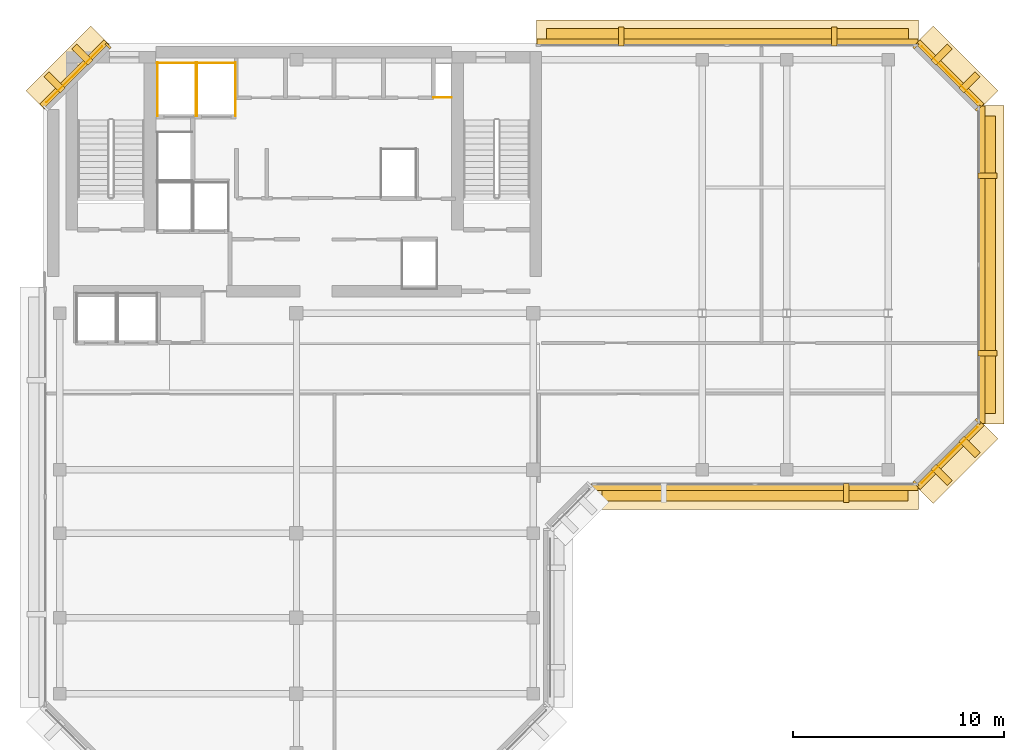
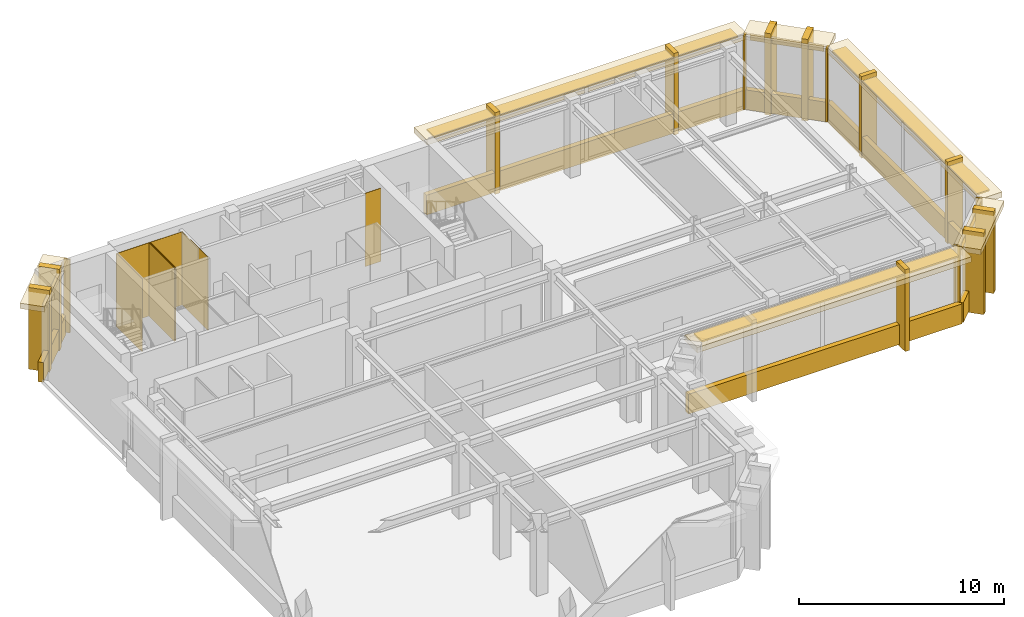
# One storey, part 9 of 9: 38 coverings, 3 shading devices.
"""IFC4 building model written with IfcOpenShell, lengths in metres."""

from ifc_helpers import new_model, si_unit, direction, frame, origin, origin_2d, place, context, subcontext, project, spatial, polyline, rectangle, outline, extrude, material, layer, layer_set, type_object, element, save


model = new_model("IFC4")

# Units and contexts
model_context = context("Model", 3, precision=1e-05, world=origin(), true_north=direction((0.0, 1.0)))
body_context = subcontext(model_context, "Body", "Model", "MODEL_VIEW")
ifc_project = project(units=[si_unit("LENGTHUNIT", "METRE"), si_unit("AREAUNIT", "SQUARE_METRE"), si_unit("VOLUMEUNIT", "CUBIC_METRE"), si_unit("PLANEANGLEUNIT", "RADIAN"), si_unit("MASSUNIT", "GRAM", prefix="KILO")], contexts=[model_context])

# Site, building, storey
site_placement = place(None, origin())
site = spatial("IfcSite", under=ifc_project, at=site_placement, CompositionType="ELEMENT")
building_placement = place(site_placement, origin())
building = spatial("IfcBuilding", under=site, at=building_placement, Name="Kefirva Bronze Tower", CompositionType="ELEMENT")
storey_placement = place(building_placement, frame((0.0, 0.0, 352.110107421875)))
storey = spatial("IfcBuildingStorey", under=building, at=storey_placement, Name="L86", CompositionType="ELEMENT", Elevation=352.110107421875)

# Coverings
ifc_material = material(Name="Bronze anodised aluminium", Category="aluminium")
ifc_layer_1 = layer(ifc_material, 0.02001953125, Name="Bronze anodised aluminium")
ifc_layer_set_1 = layer_set([ifc_layer_1], Name="Bronze anodised aluminium")
covering_type_1 = type_object("IfcCoveringType", Name="Anodised Bronze Spandrel Cladding 20mm", PredefinedType="CLADDING", material=ifc_layer_set_1)
covering_1_placement = place(storey_placement, frame((33.699951171875, 24.9599609375, -0.16015625), z_axis=(0.0, 0.0, 1.0), x_axis=(1.0, 0.0, 0.0)))
element("IfcCovering", 1, at=covering_1_placement, inside=storey, type_object=covering_type_1, Name="L86 Streamline Horizontal Spandrel Band 4", PredefinedType="CLADDING", context=body_context, shape_type="SweptSolid", body=[
    extrude(rectangle(XDim=15.43994140625, YDim=0.280029296875, at=origin_2d()), origin(), (0.0, 0.0, 1.0), 1.179931640625),
])
covering_2_placement = place(storey_placement, frame((42.906982421875, 26.492919921875, 3.949951171875), z_axis=(0.0, 0.0, 1.0), x_axis=(0.707106781187, 0.707106781187, 0.0)))
element("IfcCovering", 2, at=covering_2_placement, inside=storey, type_object=covering_type_1, Name="L86 Bronze Spandrel Cladding 4", PredefinedType="CLADDING", context=body_context, shape_type="SweptSolid", body=[
    extrude(rectangle(XDim=3.719482421875, YDim=0.02001953125, at=origin_2d()), origin(), (0.0, 0.0, 1.0), 0.39990234375),
])
for number, where, z_axis, x_axis, name in (
    (3, (41.311767578125, 25.137939453125, -0.000244140625), (0.0, 0.0, 1.0), (0.707106781187, 0.707106781187, 0.0), "L86 Facade Joint Closure Panel 4S"),
    (4, (44.26220703125, 28.08837890625, -0.000244140625), (0.0, 0.0, 1.0), (0.707106781187, 0.707106781187, 0.0), "L86 Facade Joint Closure Panel 4E"),
):
    element("IfcCovering", number, at=place(storey_placement, frame(where, z_axis=z_axis, x_axis=x_axis)), inside=storey, type_object=covering_type_1, Name=name, PredefinedType="CLADDING", context=body_context, shape_type="SweptSolid", body=[
        extrude(rectangle(XDim=0.10009765625, YDim=0.320068359375, at=origin_2d()), origin(), (0.0, 0.0, 1.0), 4.3701171875),
    ])
covering_3_placement = place(storey_placement, frame((42.92822265625, 26.4716796875, -0.16015625), z_axis=(0.0, 0.0, 1.0), x_axis=(0.707106781187, 0.707106781187, 0.0)))
element("IfcCovering", 5, at=covering_3_placement, inside=storey, type_object=covering_type_1, Name="L86 Streamline Horizontal Spandrel Band 5", PredefinedType="CLADDING", context=body_context, shape_type="SweptSolid", body=[
    extrude(rectangle(XDim=4.28271484375, YDim=0.280029296875, at=origin_2d()), origin(), (0.0, 0.0, 1.0), 1.179931640625),
])
covering_4_placement = place(storey_placement, frame((44.43994140625, 35.5, -0.16015625), z_axis=(0.0, 0.0, 1.0), x_axis=(0.0, 1.0, 0.0)))
element("IfcCovering", 6, at=covering_4_placement, inside=storey, type_object=covering_type_1, Name="L86 Streamline Horizontal Spandrel Band 6", PredefinedType="CLADDING", context=body_context, shape_type="SweptSolid", body=[
    extrude(rectangle(XDim=15.0400390625, YDim=0.280029296875, at=origin_2d()), origin(), (0.0, 0.0, 1.0), 1.179931640625),
])
covering_5_placement = place(storey_placement, frame((42.906982421875, 44.507080078125, 3.949951171875), z_axis=(0.0, 0.0, 1.0), x_axis=(-0.707106781187, 0.707106781187, 0.0)))
element("IfcCovering", 7, at=covering_5_placement, inside=storey, type_object=covering_type_1, Name="L86 Bronze Spandrel Cladding 5", PredefinedType="CLADDING", context=body_context, shape_type="SweptSolid", body=[
    extrude(rectangle(XDim=3.719482421875, YDim=0.02001953125, at=origin_2d()), origin(), (0.0, 0.0, 1.0), 0.39990234375),
])
for number, where, z_axis, x_axis, name in (
    (8, (44.26220703125, 42.91162109375, -0.000244140625), (0.0, 0.0, 1.0), (-0.707106781187, 0.707106781187, 0.0), "L86 Facade Joint Closure Panel 5S"),
    (9, (41.311767578125, 45.862060546875, -0.000244140625), (0.0, 0.0, 1.0), (-0.707106781187, 0.707106781187, 0.0), "L86 Facade Joint Closure Panel 5E"),
):
    element("IfcCovering", number, at=place(storey_placement, frame(where, z_axis=z_axis, x_axis=x_axis)), inside=storey, type_object=covering_type_1, Name=name, PredefinedType="CLADDING", context=body_context, shape_type="SweptSolid", body=[
        extrude(rectangle(XDim=0.10009765625, YDim=0.320068359375, at=origin_2d()), origin(), (0.0, 0.0, 1.0), 4.3701171875),
    ])
covering_6_placement = place(storey_placement, frame((42.92822265625, 44.5283203125, -0.16015625), z_axis=(0.0, 0.0, 1.0), x_axis=(-0.707106781187, 0.707106781187, 0.0)))
element("IfcCovering", 10, at=covering_6_placement, inside=storey, type_object=covering_type_1, Name="L86 Streamline Horizontal Spandrel Band 7", PredefinedType="CLADDING", context=body_context, shape_type="SweptSolid", body=[
    extrude(rectangle(XDim=4.28271484375, YDim=0.280029296875, at=origin_2d()), origin(), (0.0, 0.0, 1.0), 1.179931640625),
])
covering_7_placement = place(storey_placement, frame((32.402587890625, 46.0400390625, -0.16015625), z_axis=(0.0, 0.0, 1.0), x_axis=(-1.0, 0.0, 0.0)))
element("IfcCovering", 11, at=covering_7_placement, inside=storey, type_object=covering_type_1, Name="L86 Streamline Horizontal Spandrel Band 8", PredefinedType="CLADDING", context=body_context, shape_type="SweptSolid", body=[
    extrude(rectangle(XDim=18.034912109375, YDim=0.280029296875, at=origin_2d()), origin(), (0.0, 0.0, 1.0), 1.179931640625),
])
covering_8_placement = place(storey_placement, frame((1.492919921875, 44.507080078125, 3.949951171875), z_axis=(0.0, 0.0, 1.0), x_axis=(-0.707106781187, -0.707106781187, 0.0)))
element("IfcCovering", 12, at=covering_8_placement, inside=storey, type_object=covering_type_1, Name="L86 Bronze Spandrel Cladding 6", PredefinedType="CLADDING", context=body_context, shape_type="SweptSolid", body=[
    extrude(rectangle(XDim=3.719482421875, YDim=0.02001953125, at=origin_2d()), origin(), (0.0, 0.0, 1.0), 0.39990234375),
])
covering_9_placement = place(storey_placement, frame((3.08837890625, 45.862060546875, -0.000244140625), z_axis=(0.0, 0.0, 1.0), x_axis=(-0.707106781187, -0.707106781187, 0.0)))
element("IfcCovering", 13, at=covering_9_placement, inside=storey, type_object=covering_type_1, Name="L86 Facade Joint Closure Panel 6S", PredefinedType="CLADDING", context=body_context, shape_type="SweptSolid", body=[
    extrude(rectangle(XDim=0.10009765625, YDim=0.320068359375, at=origin_2d()), origin(), (0.0, 0.0, 1.0), 4.3701171875),
])
covering_10_placement = place(storey_placement, frame((1.4716796875, 44.5283203125, -0.16015625), z_axis=(0.0, 0.0, 1.0), x_axis=(-0.707106781187, -0.707106781187, 0.0)))
element("IfcCovering", 14, at=covering_10_placement, inside=storey, type_object=covering_type_1, Name="L86 Streamline Horizontal Spandrel Band 9", PredefinedType="CLADDING", context=body_context, shape_type="SweptSolid", body=[
    extrude(rectangle(XDim=4.28271484375, YDim=0.280029296875, at=origin_2d()), origin(), (0.0, 0.0, 1.0), 1.179931640625),
])
covering_11_placement = place(storey_placement, origin())
element("IfcCovering", 15, at=covering_11_placement, inside=storey, type_object=covering_type_1, Name="L86 Lift SV1 Hoistway Liner N", PredefinedType="CLADDING", context=body_context, shape_type="SweptSolid", body=[
    extrude(outline(polyline([(5.39990234375, 45.0400390625), (7.260009765625, 45.0400390625), (7.260009765625, 45.06005859375), (5.39990234375, 45.06005859375), (5.39990234375, 45.0400390625)])), origin(), (0.0, 0.0, 1.0), 4.369873046875),
])
covering_12_placement = place(storey_placement, origin())
element("IfcCovering", 16, at=covering_12_placement, inside=storey, type_object=covering_type_1, Name="L86 Lift SV1 Hoistway Liner W", PredefinedType="CLADDING", context=body_context, shape_type="SweptSolid", body=[
    extrude(outline(polyline([(5.409912109375, 42.530029296875), (5.429931640625, 42.530029296875), (5.429931640625, 45.070068359375), (5.409912109375, 45.070068359375), (5.409912109375, 42.530029296875)])), origin(), (0.0, 0.0, 1.0), 4.369873046875),
])
covering_13_placement = place(storey_placement, origin())
element("IfcCovering", 17, at=covering_13_placement, inside=storey, type_object=covering_type_1, Name="L86 Lift SV1 Hoistway Liner E", PredefinedType="CLADDING", context=body_context, shape_type="SweptSolid", body=[
    extrude(outline(polyline([(7.22998046875, 42.530029296875), (7.25, 42.530029296875), (7.25, 45.070068359375), (7.22998046875, 45.070068359375), (7.22998046875, 42.530029296875)])), origin(), (0.0, 0.0, 1.0), 4.369873046875),
])
covering_14_placement = place(storey_placement, origin())
element("IfcCovering", 18, at=covering_14_placement, inside=storey, type_object=covering_type_1, Name="L86 Lift SV2 Hoistway Liner N", PredefinedType="CLADDING", context=body_context, shape_type="SweptSolid", body=[
    extrude(outline(polyline([(7.280029296875, 45.0400390625), (9.139892578125, 45.0400390625), (9.139892578125, 45.06005859375), (7.280029296875, 45.06005859375), (7.280029296875, 45.0400390625)])), origin(), (0.0, 0.0, 1.0), 4.369873046875),
])
covering_15_placement = place(storey_placement, origin())
element("IfcCovering", 19, at=covering_15_placement, inside=storey, type_object=covering_type_1, Name="L86 Lift SV2 Hoistway Liner W", PredefinedType="CLADDING", context=body_context, shape_type="SweptSolid", body=[
    extrude(outline(polyline([(7.2900390625, 42.530029296875), (7.31005859375, 42.530029296875), (7.31005859375, 45.070068359375), (7.2900390625, 45.070068359375), (7.2900390625, 42.530029296875)])), origin(), (0.0, 0.0, 1.0), 4.369873046875),
])
covering_16_placement = place(storey_placement, origin())
element("IfcCovering", 20, at=covering_16_placement, inside=storey, type_object=covering_type_1, Name="L86 Lift SV2 Hoistway Liner E", PredefinedType="CLADDING", context=body_context, shape_type="SweptSolid", body=[
    extrude(outline(polyline([(9.110107421875, 42.530029296875), (9.1298828125, 42.530029296875), (9.1298828125, 45.070068359375), (9.110107421875, 45.070068359375), (9.110107421875, 42.530029296875)])), origin(), (0.0, 0.0, 1.0), 4.369873046875),
])
covering_17_placement = place(storey_placement, origin())
element("IfcCovering", 21, at=covering_17_placement, inside=storey, type_object=covering_type_1, Name="L86 Core MEP Riser Shaft Liner South", PredefinedType="CLADDING", context=body_context, shape_type="SweptSolid", body=[
    extrude(outline(polyline([(18.47998046875, 43.39990234375), (19.360107421875, 43.39990234375), (19.360107421875, 43.429931640625), (18.47998046875, 43.429931640625), (18.47998046875, 43.39990234375)])), origin(), (0.0, 0.0, 1.0), 4.369873046875),
])

# Shading devices
ifc_layer_2 = layer(ifc_material, 0.090087890625, Name="Bronze anodised aluminium")
ifc_layer_set_2 = layer_set([ifc_layer_2], Name="Bronze anodised aluminium")
shading_device_type = type_object("IfcShadingDeviceType", Name="Horizontal Bronze Sunshade Band 750mm", PredefinedType="JALOUSIE", material=ifc_layer_set_2)
shading_device_1_placement = place(storey_placement, frame((33.699951171875, 24.705078125, 4.2646484375), z_axis=(0.0, 0.0, 1.0), x_axis=(1.0, 0.0, 0.0)))
element("IfcShadingDevice", 22, at=shading_device_1_placement, inside=storey, type_object=shading_device_type, Name="L86 Horizontal Bronze Sunshade Band 4", PredefinedType="JALOUSIE", context=body_context, shape_type="SweptSolid", body=[
    extrude(rectangle(XDim=14.489990234375, YDim=0.75, at=origin_2d()), origin(), (0.0, 0.0, 1.0), 0.090087890625),
])
shading_device_2_placement = place(storey_placement, frame((44.695068359375, 35.5, 4.2646484375), z_axis=(0.0, 0.0, 1.0), x_axis=(0.0, 1.0, 0.0)))
element("IfcShadingDevice", 23, at=shading_device_2_placement, inside=storey, type_object=shading_device_type, Name="L86 Horizontal Bronze Sunshade Band 6", PredefinedType="JALOUSIE", context=body_context, shape_type="SweptSolid", body=[
    extrude(rectangle(XDim=14.090087890625, YDim=0.75, at=origin_2d()), origin(), (0.0, 0.0, 1.0), 0.090087890625),
])
shading_device_3_placement = place(storey_placement, frame((32.402587890625, 46.294921875, 4.2646484375), z_axis=(0.0, 0.0, 1.0), x_axis=(-1.0, 0.0, 0.0)))
element("IfcShadingDevice", 24, at=shading_device_3_placement, inside=storey, type_object=shading_device_type, Name="L86 Horizontal Bronze Sunshade Band 8", PredefinedType="JALOUSIE", context=body_context, shape_type="SweptSolid", body=[
    extrude(rectangle(XDim=17.139892578125, YDim=0.75, at=origin_2d()), origin(), (0.0, 0.0, 1.0), 0.090087890625),
])

# Coverings
ifc_layer_3 = layer(ifc_material, 0.179931640625, Name="Bronze anodised aluminium")
ifc_layer_set_3 = layer_set([ifc_layer_3], Name="Bronze anodised aluminium")
covering_type_2 = type_object("IfcCoveringType", Name="Streamline Bronze Sunshade Eyebrow Cladding 180mm", PredefinedType="CLADDING", material=ifc_layer_set_3)
covering_18_placement = place(storey_placement, frame((33.699951171875, 24.5400390625, 4.0498046875), z_axis=(0.0, 0.0, 1.0), x_axis=(1.0, 0.0, 0.0)))
element("IfcCovering", 25, at=covering_18_placement, inside=storey, type_object=covering_type_2, Name="L86 Streamline Bronze Sunshade Eyebrow 4", PredefinedType="CLADDING", context=body_context, shape_type="SweptSolid", body=[
    extrude(rectangle(XDim=15.47998046875, YDim=1.239990234375, at=origin_2d()), origin(), (0.0, 0.0, 1.0), 0.320068359375),
])
covering_19_placement = place(storey_placement, frame((43.225341796875, 26.1748046875, 4.0498046875), z_axis=(0.0, 0.0, 1.0), x_axis=(0.707106781187, 0.707106781187, 0.0)))
element("IfcCovering", 26, at=covering_19_placement, inside=storey, type_object=covering_type_2, Name="L86 Streamline Bronze Sunshade Eyebrow 5", PredefinedType="CLADDING", context=body_context, shape_type="SweptSolid", body=[
    extrude(rectangle(XDim=4.322509765625, YDim=1.239990234375, at=origin_2d()), origin(), (0.0, 0.0, 1.0), 0.320068359375),
])
covering_20_placement = place(storey_placement, frame((44.860107421875, 35.5, 4.0498046875), z_axis=(0.0, 0.0, 1.0), x_axis=(0.0, 1.0, 0.0)))
element("IfcCovering", 27, at=covering_20_placement, inside=storey, type_object=covering_type_2, Name="L86 Streamline Bronze Sunshade Eyebrow 6", PredefinedType="CLADDING", context=body_context, shape_type="SweptSolid", body=[
    extrude(rectangle(XDim=15.080078125, YDim=1.239990234375, at=origin_2d()), origin(), (0.0, 0.0, 1.0), 0.320068359375),
])
covering_21_placement = place(storey_placement, frame((43.225341796875, 44.8251953125, 4.0498046875), z_axis=(0.0, 0.0, 1.0), x_axis=(-0.707106781187, 0.707106781187, 0.0)))
element("IfcCovering", 28, at=covering_21_placement, inside=storey, type_object=covering_type_2, Name="L86 Streamline Bronze Sunshade Eyebrow 7", PredefinedType="CLADDING", context=body_context, shape_type="SweptSolid", body=[
    extrude(rectangle(XDim=4.322509765625, YDim=1.239990234375, at=origin_2d()), origin(), (0.0, 0.0, 1.0), 0.320068359375),
])
covering_22_placement = place(storey_placement, frame((32.402587890625, 46.4599609375, 4.0498046875), z_axis=(0.0, 0.0, 1.0), x_axis=(-1.0, 0.0, 0.0)))
element("IfcCovering", 29, at=covering_22_placement, inside=storey, type_object=covering_type_2, Name="L86 Streamline Bronze Sunshade Eyebrow 8", PredefinedType="CLADDING", context=body_context, shape_type="SweptSolid", body=[
    extrude(rectangle(XDim=18.074951171875, YDim=1.239990234375, at=origin_2d()), origin(), (0.0, 0.0, 1.0), 0.320068359375),
])
covering_23_placement = place(storey_placement, frame((1.1748046875, 44.8251953125, 4.0498046875), z_axis=(0.0, 0.0, 1.0), x_axis=(-0.707106781187, -0.707106781187, 0.0)))
element("IfcCovering", 30, at=covering_23_placement, inside=storey, type_object=covering_type_2, Name="L86 Streamline Bronze Sunshade Eyebrow 9", PredefinedType="CLADDING", context=body_context, shape_type="SweptSolid", body=[
    extrude(rectangle(XDim=4.322509765625, YDim=1.239990234375, at=origin_2d()), origin(), (0.0, 0.0, 1.0), 0.320068359375),
])
ifc_layer_4 = layer(ifc_material, 0.260009765625, Name="Bronze anodised aluminium")
ifc_layer_set_4 = layer_set([ifc_layer_4], Name="Bronze anodised aluminium")
covering_type_3 = type_object("IfcCoveringType", Name="Unbroken Bronze Buttress Fin Cladding 260mm", PredefinedType="CLADDING", material=ifc_layer_set_4)
covering_24_placement = place(storey_placement, frame((38.011962890625, 24.699951171875, -0.250244140625), z_axis=(0.0, 0.0, 1.0), x_axis=(1.0, 0.0, 0.0)))
element("IfcCovering", 31, at=covering_24_placement, inside=storey, type_object=covering_type_3, Name="L86 Unbroken Vertical Bronze Rib Fin 10", PredefinedType="CLADDING", context=body_context, shape_type="SweptSolid", body=[
    extrude(rectangle(XDim=0.260009765625, YDim=0.8798828125, at=origin_2d()), origin(), (0.0, 0.0, 1.0), 4.8701171875),
])
for number, where, z_axis, x_axis, name in (
    (32, (42.522705078125, 25.55712890625, -0.250244140625), (0.0, 0.0, 1.0), (0.707106781187, 0.707106781187, 0.0), "L86 Chamfered Corner Buttress Fin Cladding 11"),
    (33, (43.8427734375, 26.877197265625, -0.250244140625), (0.0, 0.0, 1.0), (0.707106781187, 0.707106781187, 0.0), "L86 Chamfered Corner Buttress Fin Cladding 12"),
):
    element("IfcCovering", number, at=place(storey_placement, frame(where, z_axis=z_axis, x_axis=x_axis)), inside=storey, type_object=covering_type_3, Name=name, PredefinedType="CLADDING", context=body_context, shape_type="SweptSolid", body=[
        extrude(rectangle(XDim=0.340087890625, YDim=1.080078125, at=origin_2d()), origin(), (0.0, 0.0, 1.0), 4.8701171875),
    ])
for number, where, z_axis, x_axis, name in (
    (34, (44.699951171875, 31.300048828125, -0.250244140625), (0.0, 0.0, 1.0), (0.0, 1.0, 0.0), "L86 Unbroken Vertical Bronze Rib Fin 13"),
    (35, (44.699951171875, 39.699951171875, -0.250244140625), (0.0, 0.0, 1.0), (0.0, 1.0, 0.0), "L86 Unbroken Vertical Bronze Rib Fin 14"),
):
    element("IfcCovering", number, at=place(storey_placement, frame(where, z_axis=z_axis, x_axis=x_axis)), inside=storey, type_object=covering_type_3, Name=name, PredefinedType="CLADDING", context=body_context, shape_type="SweptSolid", body=[
        extrude(rectangle(XDim=0.260009765625, YDim=0.8798828125, at=origin_2d()), origin(), (0.0, 0.0, 1.0), 4.8701171875),
    ])
for number, where, z_axis, x_axis, name in (
    (36, (43.8427734375, 44.122802734375, -0.250244140625), (0.0, 0.0, 1.0), (-0.707106781187, 0.707106781187, 0.0), "L86 Chamfered Corner Buttress Fin Cladding 15"),
    (37, (42.522705078125, 45.44287109375, -0.250244140625), (0.0, 0.0, 1.0), (-0.707106781187, 0.707106781187, 0.0), "L86 Chamfered Corner Buttress Fin Cladding 16"),
):
    element("IfcCovering", number, at=place(storey_placement, frame(where, z_axis=z_axis, x_axis=x_axis)), inside=storey, type_object=covering_type_3, Name=name, PredefinedType="CLADDING", context=body_context, shape_type="SweptSolid", body=[
        extrude(rectangle(XDim=0.340087890625, YDim=1.080078125, at=origin_2d()), origin(), (0.0, 0.0, 1.0), 4.8701171875),
    ])
for number, where, z_axis, x_axis, name in (
    (38, (37.441162109375, 46.300048828125, -0.250244140625), (0.0, 0.0, 1.0), (-1.0, 0.0, 0.0), "L86 Unbroken Vertical Bronze Rib Fin 17"),
    (39, (27.364013671875, 46.300048828125, -0.250244140625), (0.0, 0.0, 1.0), (-1.0, 0.0, 0.0), "L86 Unbroken Vertical Bronze Rib Fin 18"),
):
    element("IfcCovering", number, at=place(storey_placement, frame(where, z_axis=z_axis, x_axis=x_axis)), inside=storey, type_object=covering_type_3, Name=name, PredefinedType="CLADDING", context=body_context, shape_type="SweptSolid", body=[
        extrude(rectangle(XDim=0.260009765625, YDim=0.8798828125, at=origin_2d()), origin(), (0.0, 0.0, 1.0), 4.8701171875),
    ])
for number, where, z_axis, x_axis, name in (
    (40, (1.877197265625, 45.44287109375, -0.250244140625), (0.0, 0.0, 1.0), (-0.707106781187, -0.707106781187, 0.0), "L86 Chamfered Corner Buttress Fin Cladding 19"),
    (41, (0.55712890625, 44.122802734375, -0.250244140625), (0.0, 0.0, 1.0), (-0.707106781187, -0.707106781187, 0.0), "L86 Chamfered Corner Buttress Fin Cladding 20"),
):
    element("IfcCovering", number, at=place(storey_placement, frame(where, z_axis=z_axis, x_axis=x_axis)), inside=storey, type_object=covering_type_3, Name=name, PredefinedType="CLADDING", context=body_context, shape_type="SweptSolid", body=[
        extrude(rectangle(XDim=0.340087890625, YDim=1.080078125, at=origin_2d()), origin(), (0.0, 0.0, 1.0), 4.8701171875),
    ])

save(model, "model.ifc")
